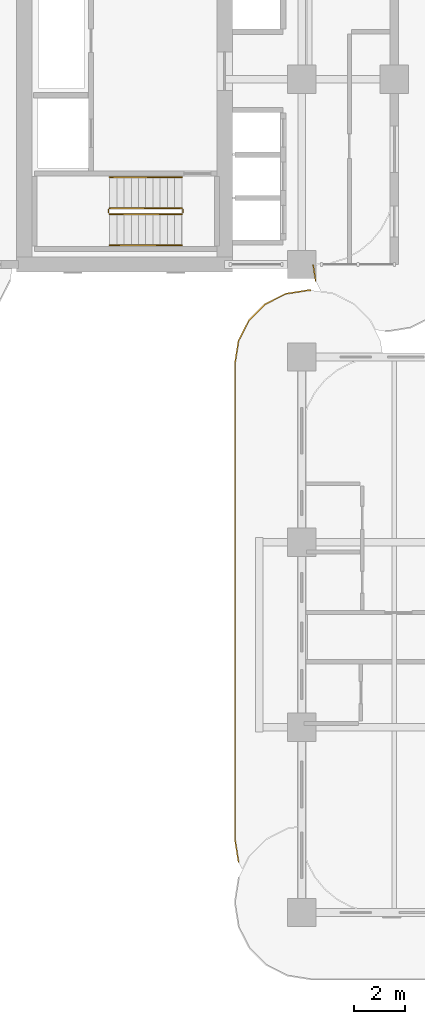
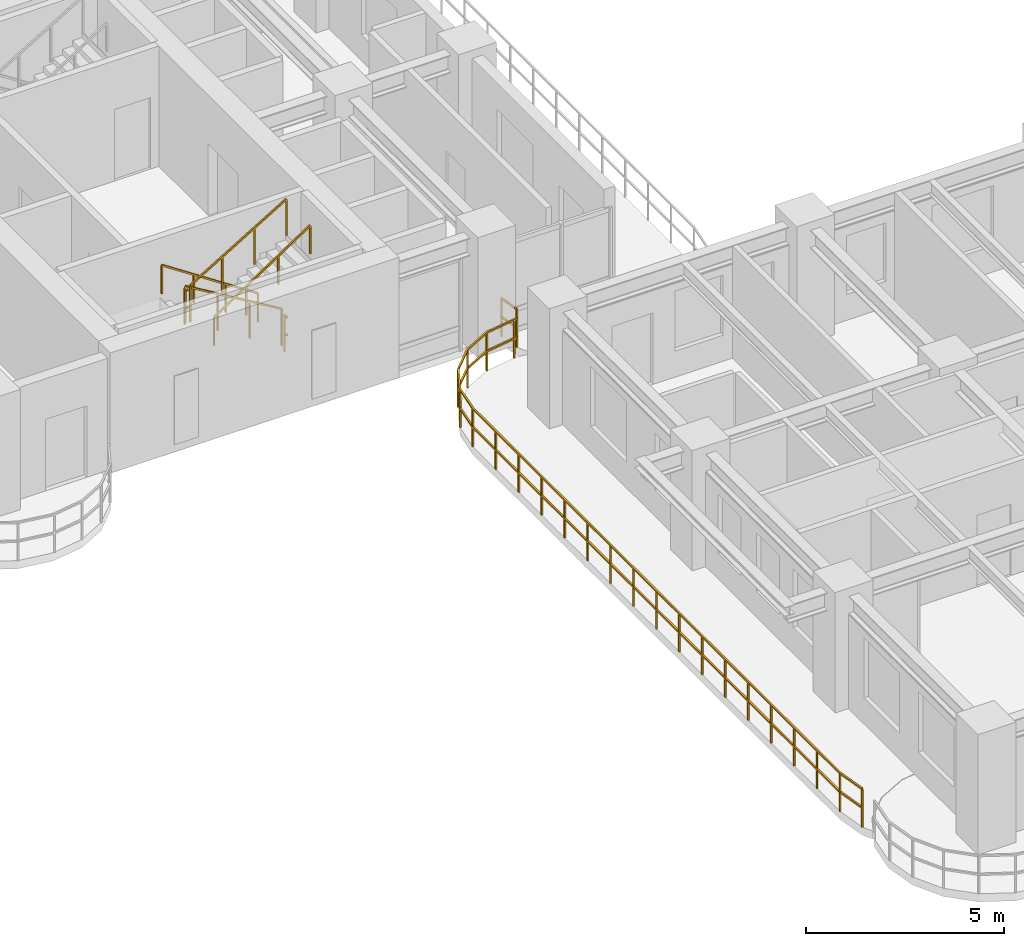
# One storey, part 13 of 19: 8 railings.
"""IFC4 building model written with IfcOpenShell, lengths in metres."""

from ifc_helpers import new_model, si_unit, derived_unit, direction, frame, origin, origin_2d, place, context, subcontext, project, spatial, rectangle, extrude, material, type_object, element, save


model = new_model("IFC4")

# Units and contexts
model_context = context("Model", 3, precision=1e-05, world=origin(), true_north=direction((0.0, 1.0)))
body_context = subcontext(model_context, "Body", "Model", "MODEL_VIEW")
ifc_project = project(units=[si_unit("LENGTHUNIT", "METRE"), si_unit("AREAUNIT", "SQUARE_METRE"), si_unit("VOLUMEUNIT", "CUBIC_METRE"), si_unit("PLANEANGLEUNIT", "RADIAN"), si_unit("MASSUNIT", "GRAM", prefix="KILO"), si_unit("THERMODYNAMICTEMPERATUREUNIT", "KELVIN"), si_unit("POWERUNIT", "WATT"), derived_unit("THERMALTRANSMITTANCEUNIT", [(si_unit("POWERUNIT", "WATT"), 1), (si_unit("AREAUNIT", "SQUARE_METRE"), -1), (si_unit("THERMODYNAMICTEMPERATUREUNIT", "KELVIN"), -1)])], contexts=[model_context])

# Site, building, storey
site_placement = place(None, origin())
site = spatial("IfcSite", under=ifc_project, at=site_placement, CompositionType="ELEMENT")
building_placement = place(site_placement, origin())
building = spatial("IfcBuilding", under=site, at=building_placement, Name="Zahravan Archway Hotel and Residences", CompositionType="ELEMENT")
storey_placement = place(building_placement, frame((0.0, 0.0, 47.199951171875)))
storey = spatial("IfcBuildingStorey", under=building, at=storey_placement, Name="L10", CompositionType="ELEMENT", Elevation=47.199951171875)

# Railings
ifc_material_1 = material(Name="Bronze & Laminated Glass Balustrade", Category="glass")
railing_type_1 = type_object("IfcRailingType", Name="RL-BAL-1200", PredefinedType="BALUSTRADE", material=ifc_material_1)
railing_1_placement = place(storey_placement, frame((11.939453125, 1.96923828125, 0.0)))
element("IfcRailing", 1, at=railing_1_placement, inside=storey, type_object=railing_type_1, Name="L10 Balustrade RL-SLB-BAL-L10-WA-1", PredefinedType="BALUSTRADE", context=body_context, shape_type="SweptSolid", body=[
    extrude(rectangle(XDim=0.048095703125, YDim=0.048095703125, at=origin_2d()), frame((0.0, 0.0, 1.17578125), z_axis=(-0.156314005608, 0.987707411965, 0.0), x_axis=(-0.987707411965, -0.156314005608, 0.0)), (0.0, 0.0, 1.0), 0.891845703125),
    extrude(rectangle(XDim=0.048095703125, YDim=0.048095703125, at=origin_2d()), frame((0.0, 0.0, 0.60009765625), z_axis=(-0.156314005608, 0.987707411965, 0.0), x_axis=(-0.987707411965, -0.156314005608, 0.0)), (0.0, 0.0, 1.0), 0.891845703125),
    extrude(rectangle(XDim=0.048095703125, YDim=0.048095703125, at=origin_2d()), frame((-0.139404296875, 0.880859375, 1.17578125), z_axis=(0.0, 1.0, 0.0), x_axis=(-1.0, 0.0, 0.0)), (0.0, 0.0, 1.0), 18.5),
    extrude(rectangle(XDim=0.048095703125, YDim=0.048095703125, at=origin_2d()), frame((-0.139404296875, 0.880859375, 0.60009765625), z_axis=(0.0, 1.0, 0.0), x_axis=(-1.0, 0.0, 0.0)), (0.0, 0.0, 1.0), 18.5),
    extrude(rectangle(XDim=0.048095703125, YDim=0.048095703125, at=origin_2d()), frame((-0.139404296875, 19.380859375, 1.17578125), z_axis=(0.156356282588, 0.987700720307, 0.0), x_axis=(-0.987700720307, 0.156356282588, 0.0)), (0.0, 0.0, 1.0), 0.8916015625),
    extrude(rectangle(XDim=0.048095703125, YDim=0.048095703125, at=origin_2d()), frame((-0.139404296875, 19.380859375, 0.60009765625), z_axis=(0.156356282588, 0.987700720307, 0.0), x_axis=(-0.987700720307, 0.156356282588, 0.0)), (0.0, 0.0, 1.0), 0.8916015625),
    extrude(rectangle(XDim=0.048095703125, YDim=0.048095703125, at=origin_2d()), frame((0.0, 20.261474609375, 1.17578125), z_axis=(0.453991409995, 0.891006060389, 0.0), x_axis=(-0.891006060389, 0.453991409995, 0.0)), (0.0, 0.0, 1.0), 0.8916015625),
    extrude(rectangle(XDim=0.048095703125, YDim=0.048095703125, at=origin_2d()), frame((0.0, 20.261474609375, 0.60009765625), z_axis=(0.453991409995, 0.891006060389, 0.0), x_axis=(-0.891006060389, 0.453991409995, 0.0)), (0.0, 0.0, 1.0), 0.8916015625),
    extrude(rectangle(XDim=0.048095703125, YDim=0.048095703125, at=origin_2d()), frame((0.40478515625, 21.055908203125, 1.17578125), z_axis=(0.707106781187, 0.707106781187, 0.0), x_axis=(-0.707106781187, 0.707106781187, 0.0)), (0.0, 0.0, 1.0), 0.891845703125),
    extrude(rectangle(XDim=0.048095703125, YDim=0.048095703125, at=origin_2d()), frame((0.40478515625, 21.055908203125, 0.60009765625), z_axis=(0.707106781187, 0.707106781187, 0.0), x_axis=(-0.707106781187, 0.707106781187, 0.0)), (0.0, 0.0, 1.0), 0.891845703125),
    extrude(rectangle(XDim=0.048095703125, YDim=0.048095703125, at=origin_2d()), frame((1.035400390625, 21.6865234375, 1.17578125), z_axis=(0.891006060389, 0.453991409995, 0.0), x_axis=(-0.453991409995, 0.891006060389, 0.0)), (0.0, 0.0, 1.0), 0.8916015625),
    extrude(rectangle(XDim=0.048095703125, YDim=0.048095703125, at=origin_2d()), frame((1.035400390625, 21.6865234375, 0.60009765625), z_axis=(0.891006060389, 0.453991409995, 0.0), x_axis=(-0.453991409995, 0.891006060389, 0.0)), (0.0, 0.0, 1.0), 0.8916015625),
    extrude(rectangle(XDim=0.048095703125, YDim=0.048095703125, at=origin_2d()), frame((1.829833984375, 22.09130859375, 1.17578125), z_axis=(0.987700720307, 0.156356282588, 0.0), x_axis=(-0.156356282588, 0.987700720307, 0.0)), (0.0, 0.0, 1.0), 0.8916015625),
    extrude(rectangle(XDim=0.048095703125, YDim=0.048095703125, at=origin_2d()), frame((1.829833984375, 22.09130859375, 0.60009765625), z_axis=(0.987700720307, 0.156356282588, 0.0), x_axis=(-0.156356282588, 0.987700720307, 0.0)), (0.0, 0.0, 1.0), 0.8916015625),
    extrude(rectangle(XDim=0.048095703125, YDim=0.048095703125, at=origin_2d()), frame((2.71044921875, 22.230712890625, 1.17578125), z_axis=(1.0, 0.0, 0.0), x_axis=(0.0, 1.0, 0.0)), (0.0, 0.0, 1.0), 0.10009765625),
    extrude(rectangle(XDim=0.048095703125, YDim=0.048095703125, at=origin_2d()), frame((2.71044921875, 22.230712890625, 0.60009765625), z_axis=(1.0, 0.0, 0.0), x_axis=(0.0, 1.0, 0.0)), (0.0, 0.0, 1.0), 0.10009765625),
    extrude(rectangle(XDim=0.0419921875, YDim=0.0419921875, at=origin_2d()), origin(), (0.0, 0.0, 1.0), 1.15185546875),
    extrude(rectangle(XDim=0.0419921875, YDim=0.0419921875, at=origin_2d()), frame((-0.139404296875, 0.880859375, 0.0)), (0.0, 0.0, 1.0), 1.15185546875),
    extrude(rectangle(XDim=0.0419921875, YDim=0.0419921875, at=origin_2d()), frame((-0.139404296875, 2.037109375, 0.0)), (0.0, 0.0, 1.0), 1.15185546875),
    extrude(rectangle(XDim=0.0419921875, YDim=0.0419921875, at=origin_2d()), frame((-0.139404296875, 3.193359375, 0.0)), (0.0, 0.0, 1.0), 1.15185546875),
    extrude(rectangle(XDim=0.0419921875, YDim=0.0419921875, at=origin_2d()), frame((-0.139404296875, 4.349609375, 0.0)), (0.0, 0.0, 1.0), 1.15185546875),
    extrude(rectangle(XDim=0.0419921875, YDim=0.0419921875, at=origin_2d()), frame((-0.139404296875, 5.505859375, 0.0)), (0.0, 0.0, 1.0), 1.15185546875),
    extrude(rectangle(XDim=0.0419921875, YDim=0.0419921875, at=origin_2d()), frame((-0.139404296875, 6.662109375, 0.0)), (0.0, 0.0, 1.0), 1.15185546875),
    extrude(rectangle(XDim=0.0419921875, YDim=0.0419921875, at=origin_2d()), frame((-0.139404296875, 7.818359375, 0.0)), (0.0, 0.0, 1.0), 1.15185546875),
    extrude(rectangle(XDim=0.0419921875, YDim=0.0419921875, at=origin_2d()), frame((-0.139404296875, 8.974609375, 0.0)), (0.0, 0.0, 1.0), 1.15185546875),
    extrude(rectangle(XDim=0.0419921875, YDim=0.0419921875, at=origin_2d()), frame((-0.139404296875, 10.130859375, 0.0)), (0.0, 0.0, 1.0), 1.15185546875),
    extrude(rectangle(XDim=0.0419921875, YDim=0.0419921875, at=origin_2d()), frame((-0.139404296875, 11.287109375, 0.0)), (0.0, 0.0, 1.0), 1.15185546875),
    extrude(rectangle(XDim=0.0419921875, YDim=0.0419921875, at=origin_2d()), frame((-0.139404296875, 12.443359375, 0.0)), (0.0, 0.0, 1.0), 1.15185546875),
    extrude(rectangle(XDim=0.0419921875, YDim=0.0419921875, at=origin_2d()), frame((-0.139404296875, 13.599609375, 0.0)), (0.0, 0.0, 1.0), 1.15185546875),
    extrude(rectangle(XDim=0.0419921875, YDim=0.0419921875, at=origin_2d()), frame((-0.139404296875, 14.755859375, 0.0)), (0.0, 0.0, 1.0), 1.15185546875),
    extrude(rectangle(XDim=0.0419921875, YDim=0.0419921875, at=origin_2d()), frame((-0.139404296875, 15.912109375, 0.0)), (0.0, 0.0, 1.0), 1.15185546875),
    extrude(rectangle(XDim=0.0419921875, YDim=0.0419921875, at=origin_2d()), frame((-0.139404296875, 17.068359375, 0.0)), (0.0, 0.0, 1.0), 1.15185546875),
    extrude(rectangle(XDim=0.0419921875, YDim=0.0419921875, at=origin_2d()), frame((-0.139404296875, 18.224609375, 0.0)), (0.0, 0.0, 1.0), 1.15185546875),
    extrude(rectangle(XDim=0.0419921875, YDim=0.0419921875, at=origin_2d()), frame((-0.139404296875, 19.380859375, 0.0)), (0.0, 0.0, 1.0), 1.15185546875),
    extrude(rectangle(XDim=0.0419921875, YDim=0.0419921875, at=origin_2d()), frame((0.0, 20.261474609375, 0.0)), (0.0, 0.0, 1.0), 1.15185546875),
    extrude(rectangle(XDim=0.0419921875, YDim=0.0419921875, at=origin_2d()), frame((0.40478515625, 21.055908203125, 0.0)), (0.0, 0.0, 1.0), 1.15185546875),
    extrude(rectangle(XDim=0.0419921875, YDim=0.0419921875, at=origin_2d()), frame((1.035400390625, 21.6865234375, 0.0)), (0.0, 0.0, 1.0), 1.15185546875),
    extrude(rectangle(XDim=0.0419921875, YDim=0.0419921875, at=origin_2d()), frame((1.829833984375, 22.09130859375, 0.0)), (0.0, 0.0, 1.0), 1.15185546875),
    extrude(rectangle(XDim=0.0419921875, YDim=0.0419921875, at=origin_2d()), frame((2.71044921875, 22.230712890625, 0.0)), (0.0, 0.0, 1.0), 1.15185546875),
])
railing_2_placement = place(storey_placement, frame((14.939453125, 24.5693359375, 0.0)))
element("IfcRailing", 2, at=railing_2_placement, inside=storey, type_object=railing_type_1, Name="L10 Balustrade RL-SLB-BAL-L10-EB-1", PredefinedType="BALUSTRADE", context=body_context, shape_type="SweptSolid", body=[
    extrude(rectangle(XDim=0.048095703125, YDim=0.048095703125, at=origin_2d()), frame((0.0, 0.0, 1.17578125), z_axis=(-0.156388432473, 0.987695630338, 0.0), x_axis=(-0.987695630338, -0.156388432473, 0.0)), (0.0, 0.0, 1.0), 0.6181640625),
    extrude(rectangle(XDim=0.048095703125, YDim=0.048095703125, at=origin_2d()), frame((0.0, 0.0, 0.60009765625), z_axis=(-0.156388432473, 0.987695630338, 0.0), x_axis=(-0.987695630338, -0.156388432473, 0.0)), (0.0, 0.0, 1.0), 0.6181640625),
    extrude(rectangle(XDim=0.0419921875, YDim=0.0419921875, at=origin_2d()), origin(), (0.0, 0.0, 1.0), 1.15185546875),
    extrude(rectangle(XDim=0.0419921875, YDim=0.0419921875, at=origin_2d()), frame((-0.0966796875, 0.610595703125, 0.0)), (0.0, 0.0, 1.0), 1.15185546875),
])
ifc_material_2 = material(Name="Painted Tubular Steel", Category="steel")
railing_type_2 = type_object("IfcRailingType", Name="RL-STG-1150", PredefinedType="GUARDRAIL", material=ifc_material_2)
railing_3_placement = place(storey_placement, frame((9.72998046875, 27.389892578125, 0.168212890625)))
element("IfcRailing", 3, at=railing_3_placement, inside=storey, type_object=railing_type_2, Name="L10 ST-B1 stair guard 1", PredefinedType="GUARDRAIL", context=body_context, shape_type="SweptSolid", body=[
    extrude(rectangle(XDim=0.048095703125, YDim=0.048095703125, at=origin_2d()), frame((0.0, 0.0, 1.1259765625), z_axis=(-0.857242210791, 0.0, 0.514913383045), x_axis=(0.0, -1.0, 0.0)), (0.0, 0.0, 1.0), 3.266357421875),
    extrude(rectangle(XDim=0.0419921875, YDim=0.0419921875, at=origin_2d()), origin(), (0.0, 0.0, 1.0), 1.101806640625),
    extrude(rectangle(XDim=0.0419921875, YDim=0.0419921875, at=origin_2d()), frame((-0.933349609375, 0.0, 0.560546875)), (0.0, 0.0, 1.0), 1.101806640625),
    extrude(rectangle(XDim=0.0419921875, YDim=0.0419921875, at=origin_2d()), frame((-1.86669921875, 0.0, 1.121337890625)), (0.0, 0.0, 1.0), 1.101806640625),
    extrude(rectangle(XDim=0.0419921875, YDim=0.0419921875, at=origin_2d()), frame((-2.800048828125, 0.0, 1.681884765625)), (0.0, 0.0, 1.0), 1.101806640625),
])
railing_4_placement = place(storey_placement, frame((6.8798828125, 27.340087890625, 1.85009765625)))
element("IfcRailing", 4, at=railing_4_placement, inside=storey, type_object=railing_type_2, Name="L10 ST-B1 stair guard 2", PredefinedType="GUARDRAIL", context=body_context, shape_type="SweptSolid", body=[
    extrude(rectangle(XDim=0.048095703125, YDim=0.048095703125, at=origin_2d()), frame((0.0, 0.0, 1.1259765625), z_axis=(0.0, -1.0, 0.0), x_axis=(1.0, 0.0, 0.0)), (0.0, 0.0, 1.0), 0.14013671875),
    extrude(rectangle(XDim=0.048095703125, YDim=0.048095703125, at=origin_2d()), frame((0.0, 0.0, 0.574951171875), z_axis=(0.0, -1.0, 0.0), x_axis=(1.0, 0.0, 0.0)), (0.0, 0.0, 1.0), 0.14013671875),
    extrude(rectangle(XDim=0.0419921875, YDim=0.0419921875, at=origin_2d()), origin(), (0.0, 0.0, 1.0), 1.101806640625),
])
railing_5_placement = place(storey_placement, frame((6.929931640625, 27.14990234375, 2.018310546875)))
element("IfcRailing", 5, at=railing_5_placement, inside=storey, type_object=railing_type_2, Name="L10 ST-B1 stair guard 3", PredefinedType="GUARDRAIL", context=body_context, shape_type="SweptSolid", body=[
    extrude(rectangle(XDim=0.048095703125, YDim=0.048095703125, at=origin_2d()), frame((0.0, 0.0, 1.1259765625), z_axis=(0.857275202839, 0.0, 0.514858452973), x_axis=(0.0, 1.0, 0.0)), (0.0, 0.0, 1.0), 3.26611328125),
    extrude(rectangle(XDim=0.0419921875, YDim=0.0419921875, at=origin_2d()), origin(), (0.0, 0.0, 1.0), 1.101806640625),
    extrude(rectangle(XDim=0.0419921875, YDim=0.0419921875, at=origin_2d()), frame((0.933349609375, 0.0, 0.560546875)), (0.0, 0.0, 1.0), 1.101806640625),
    extrude(rectangle(XDim=0.0419921875, YDim=0.0419921875, at=origin_2d()), frame((1.86669921875, 0.0, 1.12109375)), (0.0, 0.0, 1.0), 1.101806640625),
    extrude(rectangle(XDim=0.0419921875, YDim=0.0419921875, at=origin_2d()), frame((2.800048828125, 0.0, 1.681640625)), (0.0, 0.0, 1.0), 1.101806640625),
])
railing_6_placement = place(storey_placement, frame((9.780029296875, 27.340087890625, 0.0)))
element("IfcRailing", 6, at=railing_6_placement, inside=storey, type_object=railing_type_2, Name="L10 ST-B1 stair guard 4", PredefinedType="GUARDRAIL", context=body_context, shape_type="SweptSolid", body=[
    extrude(rectangle(XDim=0.048095703125, YDim=0.048095703125, at=origin_2d()), frame((0.0, 0.0, 1.1259765625), z_axis=(0.0, -1.0, 0.0), x_axis=(1.0, 0.0, 0.0)), (0.0, 0.0, 1.0), 0.14013671875),
    extrude(rectangle(XDim=0.048095703125, YDim=0.048095703125, at=origin_2d()), frame((0.0, 0.0, 0.574951171875), z_axis=(0.0, -1.0, 0.0), x_axis=(1.0, 0.0, 0.0)), (0.0, 0.0, 1.0), 0.14013671875),
    extrude(rectangle(XDim=0.0419921875, YDim=0.0419921875, at=origin_2d()), origin(), (0.0, 0.0, 1.0), 1.101806640625),
])
ifc_material_3 = material(Name="Brushed Stainless Steel", Category="steel")
railing_type_3 = type_object("IfcRailingType", Name="RL-STH-900", PredefinedType="HANDRAIL", material=ifc_material_3)
railing_7_placement = place(storey_placement, frame((9.72998046875, 28.590087890625, 0.168212890625)))
element("IfcRailing", 7, at=railing_7_placement, inside=storey, type_object=railing_type_3, Name="L10 ST-B1 stair handrail 1", PredefinedType="HANDRAIL", context=body_context, shape_type="SweptSolid", body=[
    extrude(rectangle(XDim=0.048095703125, YDim=0.048095703125, at=origin_2d()), frame((0.0, 0.0, 0.8759765625), z_axis=(-0.834326358476, 0.0, 0.551270829586), x_axis=(0.0, -1.0, 0.0)), (0.0, 0.0, 1.0), 3.35595703125),
    extrude(rectangle(XDim=0.0419921875, YDim=0.0419921875, at=origin_2d()), origin(), (0.0, 0.0, 1.0), 0.851806640625),
    extrude(rectangle(XDim=0.0419921875, YDim=0.0419921875, at=origin_2d()), frame((-0.933349609375, 0.0, 0.61669921875)), (0.0, 0.0, 1.0), 0.851806640625),
    extrude(rectangle(XDim=0.0419921875, YDim=0.0419921875, at=origin_2d()), frame((-1.86669921875, 0.0, 1.2333984375)), (0.0, 0.0, 1.0), 0.851806640625),
    extrude(rectangle(XDim=0.0419921875, YDim=0.0419921875, at=origin_2d()), frame((-2.800048828125, 0.0, 1.85009765625)), (0.0, 0.0, 1.0), 0.851806640625),
])
railing_8_placement = place(storey_placement, frame((6.929931640625, 25.949951171875, 2.018310546875)))
element("IfcRailing", 8, at=railing_8_placement, inside=storey, type_object=railing_type_3, Name="L10 ST-B1 stair handrail 2", PredefinedType="HANDRAIL", context=body_context, shape_type="SweptSolid", body=[
    extrude(rectangle(XDim=0.048095703125, YDim=0.048095703125, at=origin_2d()), frame((0.0, 0.0, 0.8759765625), z_axis=(0.83435981716, 0.0, 0.551220187865), x_axis=(0.0, 1.0, 0.0)), (0.0, 0.0, 1.0), 3.35595703125),
    extrude(rectangle(XDim=0.0419921875, YDim=0.0419921875, at=origin_2d()), origin(), (0.0, 0.0, 1.0), 0.851806640625),
    extrude(rectangle(XDim=0.0419921875, YDim=0.0419921875, at=origin_2d()), frame((0.933349609375, 0.0, 0.61669921875)), (0.0, 0.0, 1.0), 0.851806640625),
    extrude(rectangle(XDim=0.0419921875, YDim=0.0419921875, at=origin_2d()), frame((1.86669921875, 0.0, 1.233154296875)), (0.0, 0.0, 1.0), 0.851806640625),
    extrude(rectangle(XDim=0.0419921875, YDim=0.0419921875, at=origin_2d()), frame((2.800048828125, 0.0, 1.849853515625)), (0.0, 0.0, 1.0), 0.851806640625),
])

save(model, "model.ifc")
